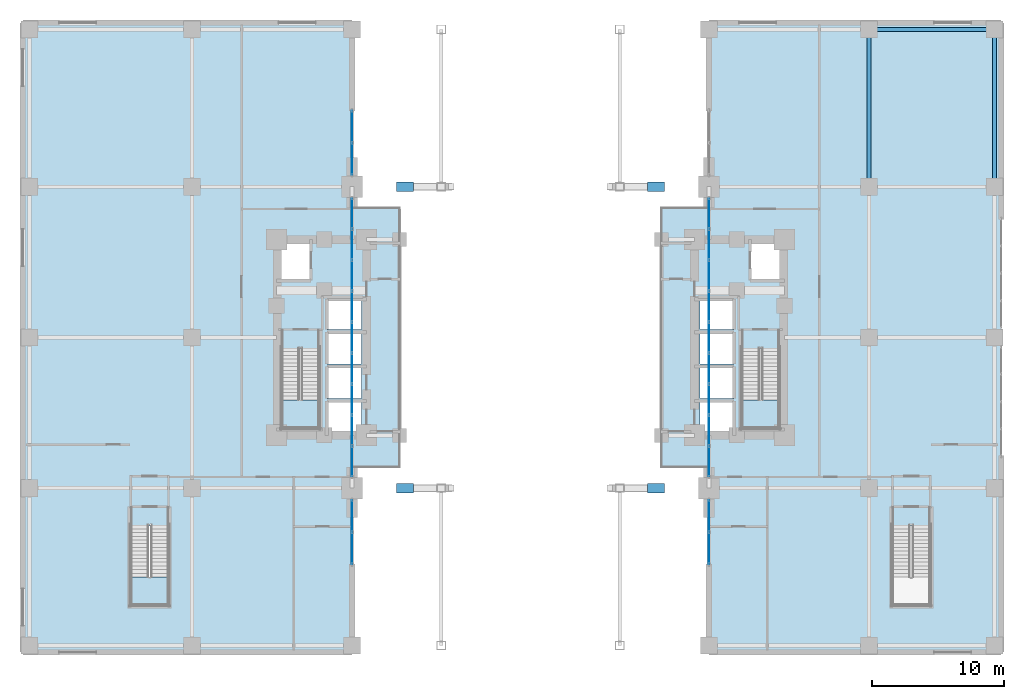
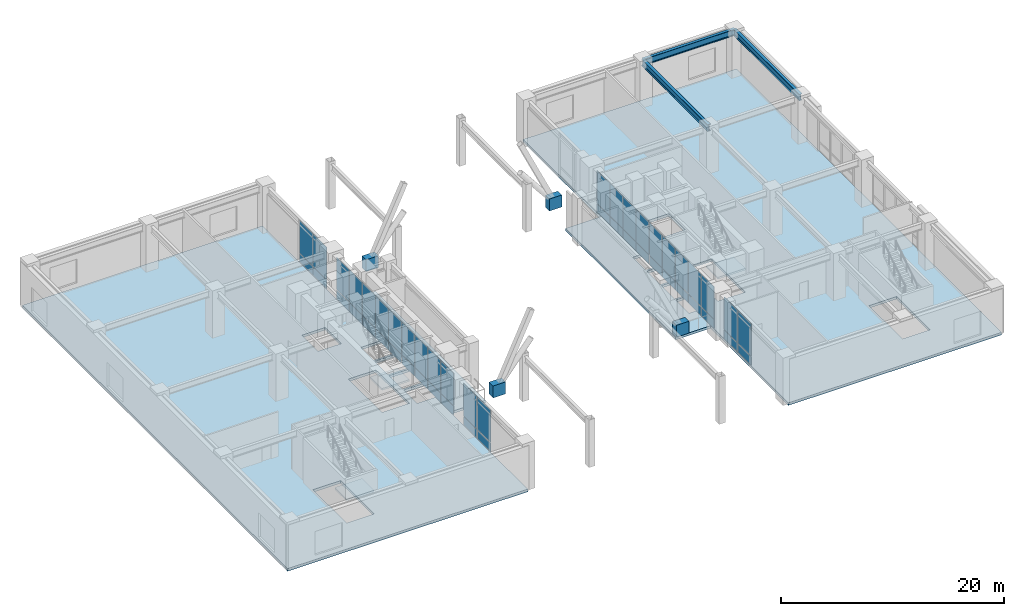
# One storey, part 17 of 26: 52 plates, 5 slabs, 3 beams, 8 elements without a shape of their own.
"""IFC4 building model written with IfcOpenShell, lengths in metres."""

from ifc_helpers import new_model, si_unit, direction, frame, origin, origin_2d, place, context, subcontext, project, spatial, polyline, rectangle, i_section, outline, extrude, material, layer, layer_set, material_profile, profile_set, type_object, element, aggregate, save


model = new_model("IFC4")

# Units and contexts
model_context = context("Model", 3, precision=1e-05, world=origin(), true_north=direction((0.0, 1.0)))
body_context = subcontext(model_context, "Body", "Model", "MODEL_VIEW")
ifc_project = project(units=[si_unit("LENGTHUNIT", "METRE"), si_unit("AREAUNIT", "SQUARE_METRE"), si_unit("VOLUMEUNIT", "CUBIC_METRE"), si_unit("PLANEANGLEUNIT", "RADIAN"), si_unit("MASSUNIT", "GRAM", prefix="KILO")], contexts=[model_context])

# Site, building, storey
site_placement = place(None, origin())
site = spatial("IfcSite", under=ifc_project, at=site_placement, CompositionType="ELEMENT")
building_placement = place(site_placement, origin())
building = spatial("IfcBuilding", under=site, at=building_placement, Name="Voryun Gate Residences", CompositionType="ELEMENT")
storey_placement = place(building_placement, frame((0.0, 0.0, 10.39990234375)))
storey = spatial("IfcBuildingStorey", under=building, at=storey_placement, Name="L02", CompositionType="ELEMENT", Elevation=10.39990234375)

# Beams
ifc_material_1 = material(Name="Steel SM355", Category="steel")
ifc_material_profile = material_profile(ifc_material_1, i_section(OverallWidth=0.300048828125, OverallDepth=0.699951171875, WebThickness=0.012939453125, FlangeThickness=0.02392578125, FilletRadius=0.01806640625, at=origin_2d()), Name="H-700x300x13x24")
ifc_profile_set = profile_set([ifc_material_profile], Name="Steel SM355")
beam_type = type_object("IfcBeamType", Name="BM_GIRD_700", PredefinedType="USERDEFINED", material=ifc_profile_set)
beam_placement = place(storey_placement, frame((25.60009765625, 23.300048828125, 4.570068359375), z_axis=(1.0, 0.0, 0.0), x_axis=(0.0, 1.0, 0.0)))
element("IfcBeam", 1, at=beam_placement, inside=storey, type_object=beam_type, Name="BM-L02-PEX-+23.3-1", ObjectType="GIRDER", PredefinedType="USERDEFINED", context=body_context, shape_type="SweptSolid", body=[
    extrude(i_section(OverallWidth=0.300048828125, OverallDepth=0.699951171875, WebThickness=0.012939453125, FlangeThickness=0.02392578125, FilletRadius=0.01806640625, at=origin_2d()), origin(), (0.0, 0.0, 1.0), 9.5),
])
for number, where, z_axis, x_axis, name in (
    (2, (25.60009765625, 11.39990234375, 4.570068359375), (0.0, 1.0, 0.0), (-1.0, 0.0, 0.0), "BM-L02-PEY-+25.6-3"),
    (3, (35.10009765625, 11.39990234375, 4.570068359375), (0.0, 1.0, 0.0), (-1.0, 0.0, 0.0), "BM-L02-PEY-+35.1-3"),
):
    element("IfcBeam", number, at=place(storey_placement, frame(where, z_axis=z_axis, x_axis=x_axis)), inside=storey, type_object=beam_type, Name=name, ObjectType="GIRDER", PredefinedType="USERDEFINED", context=body_context, shape_type="SweptSolid", body=[
        extrude(i_section(OverallWidth=0.300048828125, OverallDepth=0.699951171875, WebThickness=0.012939453125, FlangeThickness=0.02392578125, FilletRadius=0.01806640625, at=origin_2d()), origin(), (0.0, 0.0, 1.0), 11.900146484375),
    ])

# Plates
ifc_material_2 = material(Name="Steel SM420", Category="steel")
ifc_layer_1 = layer(ifc_material_2, 0.0400390625, Name="PLT_ARCH_GUSSET_40")
ifc_layer_set_1 = layer_set([ifc_layer_1], Name="Steel SM420")
plate_type_1 = type_object("IfcPlateType", Name="PLT_ARCH_GUSSET_40", PredefinedType="USERDEFINED", material=ifc_layer_set_1)
for number, where, z_axis, x_axis, name in (
    (4, (-9.5, -11.39990234375, 1.52001953125), (0.0, 0.0, 1.0), (1.0, 0.0, 0.0), "Arch Gusset Plate AN2-S"),
    (5, (9.5, -11.39990234375, 1.52001953125), (0.0, 0.0, 1.0), (1.0, 0.0, 0.0), "Arch Gusset Plate AN8-S"),
    (6, (-9.5, 11.39990234375, 1.52001953125), (0.0, 0.0, 1.0), (1.0, 0.0, 0.0), "Arch Gusset Plate AN2-N"),
    (7, (9.5, 11.39990234375, 1.52001953125), (0.0, 0.0, 1.0), (1.0, 0.0, 0.0), "Arch Gusset Plate AN8-N"),
):
    element("IfcPlate", number, at=place(storey_placement, frame(where, z_axis=z_axis, x_axis=x_axis)), inside=storey, type_object=plate_type_1, Name=name, ObjectType="GUSSET_PLATE", PredefinedType="USERDEFINED", context=body_context, shape_type="SweptSolid", body=[
        extrude(rectangle(XDim=1.300048828125, YDim=0.719970703125, at=origin_2d()), origin(), (0.0, 0.0, 1.0), 1.300048828125),
    ])

# Curtain wall, plates
ifc_material_3 = material(Name="Anodised aluminium", Category="aluminium")
ifc_layer_2 = layer(ifc_material_3, 0.239990234375, Name="CW_SYS_ARCH_DARK_GLASS")
ifc_layer_set_2 = layer_set([ifc_layer_2], Name="Anodised aluminium")
curtain_wall_type = type_object("IfcCurtainWallType", Name="CW_SYS_ARCH_DARK_GLASS", PredefinedType="NOTDEFINED", material=ifc_layer_set_2)
curtain_wall_1_placement = place(storey_placement, origin())
curtain_wall_1 = element("IfcCurtainWall", 8, at=curtain_wall_1_placement, inside=storey, type_object=curtain_wall_type, Name="Curtain wall CW2-L02-WP-S", PredefinedType="NOTDEFINED")
ifc_material_4 = material(Name="Laminated low-E glass", Category="glass")
ifc_layer_3 = layer(ifc_material_4, 0.048095703125, Name="PLT_GLASS_DARK_POD")
ifc_layer_set_3 = layer_set([ifc_layer_3], Name="Laminated low-E glass")
plate_type_2 = type_object("IfcPlateType", Name="PLT_GLASS_DARK_POD", PredefinedType="CURTAIN_PANEL", material=ifc_layer_set_3)
plate_1_placement = place(storey_placement, frame((-13.5, -15.9462890625, 0.06005859375), z_axis=(0.0, 0.0, 1.0), x_axis=(0.0, 1.0, 0.0)))
plate_1 = element("IfcPlate", 9, at=plate_1_placement, type_object=plate_type_2, Name="CW2 panel 1.1", PredefinedType="CURTAIN_PANEL", context=body_context, shape_type="SweptSolid", body=[
    extrude(rectangle(XDim=2.387451171875, YDim=0.028076171875, at=origin_2d()), origin(), (0.0, 0.0, 1.0), 0.9599609375),
])
plate_2_placement = place(storey_placement, frame((-13.5, -15.9462890625, 1.080078125), z_axis=(0.0, 0.0, 1.0), x_axis=(0.0, 1.0, 0.0)))
plate_2 = element("IfcPlate", 10, at=plate_2_placement, type_object=plate_type_2, Name="CW2 panel 1.2", PredefinedType="CURTAIN_PANEL", context=body_context, shape_type="SweptSolid", body=[
    extrude(rectangle(XDim=2.387451171875, YDim=0.028076171875, at=origin_2d()), origin(), (0.0, 0.0, 1.0), 3.56005859375),
])
plate_3_placement = place(storey_placement, frame((-13.5, -13.498779296875, 0.06005859375), z_axis=(0.0, 0.0, 1.0), x_axis=(0.0, 1.0, 0.0)))
plate_3 = element("IfcPlate", 11, at=plate_3_placement, type_object=plate_type_2, Name="CW2 panel 2.1", PredefinedType="CURTAIN_PANEL", context=body_context, shape_type="SweptSolid", body=[
    extrude(rectangle(XDim=2.387451171875, YDim=0.028076171875, at=origin_2d()), origin(), (0.0, 0.0, 1.0), 0.9599609375),
])
plate_4_placement = place(storey_placement, frame((-13.5, -13.498779296875, 1.080078125), z_axis=(0.0, 0.0, 1.0), x_axis=(0.0, 1.0, 0.0)))
plate_4 = element("IfcPlate", 12, at=plate_4_placement, type_object=plate_type_2, Name="CW2 panel 2.2", PredefinedType="CURTAIN_PANEL", context=body_context, shape_type="SweptSolid", body=[
    extrude(rectangle(XDim=2.387451171875, YDim=0.028076171875, at=origin_2d()), origin(), (0.0, 0.0, 1.0), 3.56005859375),
])
aggregate(curtain_wall_1, [plate_1, plate_2, plate_3, plate_4])

curtain_wall_2_placement = place(storey_placement, origin())
curtain_wall_2 = element("IfcCurtainWall", 13, at=curtain_wall_2_placement, inside=storey, type_object=curtain_wall_type, Name="Curtain wall CW2-L02-WP-M", PredefinedType="NOTDEFINED")
plate_5_placement = place(storey_placement, frame((-13.5, -9.3671875, 0.06005859375), z_axis=(0.0, 0.0, 1.0), x_axis=(0.0, 1.0, 0.0)))
plate_5 = element("IfcPlate", 14, at=plate_5_placement, type_object=plate_type_2, Name="CW2 panel 1.1", PredefinedType="CURTAIN_PANEL", context=body_context, shape_type="SweptSolid", body=[
    extrude(rectangle(XDim=2.255615234375, YDim=0.028076171875, at=origin_2d()), origin(), (0.0, 0.0, 1.0), 0.9599609375),
])
plate_6_placement = place(storey_placement, frame((-13.5, -9.3671875, 1.080078125), z_axis=(0.0, 0.0, 1.0), x_axis=(0.0, 1.0, 0.0)))
plate_6 = element("IfcPlate", 15, at=plate_6_placement, type_object=plate_type_2, Name="CW2 panel 1.2", PredefinedType="CURTAIN_PANEL", context=body_context, shape_type="SweptSolid", body=[
    extrude(rectangle(XDim=2.255615234375, YDim=0.028076171875, at=origin_2d()), origin(), (0.0, 0.0, 1.0), 3.56005859375),
])
plate_7_placement = place(storey_placement, frame((-13.5, -7.03662109375, 0.06005859375), z_axis=(0.0, 0.0, 1.0), x_axis=(0.0, 1.0, 0.0)))
plate_7 = element("IfcPlate", 16, at=plate_7_placement, type_object=plate_type_2, Name="CW2 panel 2.1", PredefinedType="CURTAIN_PANEL", context=body_context, shape_type="SweptSolid", body=[
    extrude(rectangle(XDim=2.28564453125, YDim=0.028076171875, at=origin_2d()), origin(), (0.0, 0.0, 1.0), 0.9599609375),
])
plate_8_placement = place(storey_placement, frame((-13.5, -7.03662109375, 1.080078125), z_axis=(0.0, 0.0, 1.0), x_axis=(0.0, 1.0, 0.0)))
plate_8 = element("IfcPlate", 17, at=plate_8_placement, type_object=plate_type_2, Name="CW2 panel 2.2", PredefinedType="CURTAIN_PANEL", context=body_context, shape_type="SweptSolid", body=[
    extrude(rectangle(XDim=2.28564453125, YDim=0.028076171875, at=origin_2d()), origin(), (0.0, 0.0, 1.0), 3.56005859375),
])
plate_9_placement = place(storey_placement, frame((-13.5, -4.691162109375, 0.06005859375), z_axis=(0.0, 0.0, 1.0), x_axis=(0.0, 1.0, 0.0)))
plate_9 = element("IfcPlate", 18, at=plate_9_placement, type_object=plate_type_2, Name="CW2 panel 3.1", PredefinedType="CURTAIN_PANEL", context=body_context, shape_type="SweptSolid", body=[
    extrude(rectangle(XDim=2.28564453125, YDim=0.028076171875, at=origin_2d()), origin(), (0.0, 0.0, 1.0), 0.9599609375),
])
plate_10_placement = place(storey_placement, frame((-13.5, -4.691162109375, 1.080078125), z_axis=(0.0, 0.0, 1.0), x_axis=(0.0, 1.0, 0.0)))
plate_10 = element("IfcPlate", 19, at=plate_10_placement, type_object=plate_type_2, Name="CW2 panel 3.2", PredefinedType="CURTAIN_PANEL", context=body_context, shape_type="SweptSolid", body=[
    extrude(rectangle(XDim=2.28564453125, YDim=0.028076171875, at=origin_2d()), origin(), (0.0, 0.0, 1.0), 3.56005859375),
])
plate_11_placement = place(storey_placement, frame((-13.5, -2.345458984375, 0.06005859375), z_axis=(0.0, 0.0, 1.0), x_axis=(0.0, 1.0, 0.0)))
plate_11 = element("IfcPlate", 20, at=plate_11_placement, type_object=plate_type_2, Name="CW2 panel 4.1", PredefinedType="CURTAIN_PANEL", context=body_context, shape_type="SweptSolid", body=[
    extrude(rectangle(XDim=2.28564453125, YDim=0.028076171875, at=origin_2d()), origin(), (0.0, 0.0, 1.0), 0.9599609375),
])
plate_12_placement = place(storey_placement, frame((-13.5, -2.345458984375, 1.080078125), z_axis=(0.0, 0.0, 1.0), x_axis=(0.0, 1.0, 0.0)))
plate_12 = element("IfcPlate", 21, at=plate_12_placement, type_object=plate_type_2, Name="CW2 panel 4.2", PredefinedType="CURTAIN_PANEL", context=body_context, shape_type="SweptSolid", body=[
    extrude(rectangle(XDim=2.28564453125, YDim=0.028076171875, at=origin_2d()), origin(), (0.0, 0.0, 1.0), 3.56005859375),
])
plate_13_placement = place(storey_placement, frame((-13.5, 0.0, 0.06005859375), z_axis=(0.0, 0.0, 1.0), x_axis=(0.0, 1.0, 0.0)))
plate_13 = element("IfcPlate", 22, at=plate_13_placement, type_object=plate_type_2, Name="CW2 panel 5.1", PredefinedType="CURTAIN_PANEL", context=body_context, shape_type="SweptSolid", body=[
    extrude(rectangle(XDim=2.28564453125, YDim=0.028076171875, at=origin_2d()), origin(), (0.0, 0.0, 1.0), 0.9599609375),
])
plate_14_placement = place(storey_placement, frame((-13.5, 0.0, 1.080078125), z_axis=(0.0, 0.0, 1.0), x_axis=(0.0, 1.0, 0.0)))
plate_14 = element("IfcPlate", 23, at=plate_14_placement, type_object=plate_type_2, Name="CW2 panel 5.2", PredefinedType="CURTAIN_PANEL", context=body_context, shape_type="SweptSolid", body=[
    extrude(rectangle(XDim=2.28564453125, YDim=0.028076171875, at=origin_2d()), origin(), (0.0, 0.0, 1.0), 3.56005859375),
])
plate_15_placement = place(storey_placement, frame((-13.5, 2.345458984375, 0.06005859375), z_axis=(0.0, 0.0, 1.0), x_axis=(0.0, 1.0, 0.0)))
plate_15 = element("IfcPlate", 24, at=plate_15_placement, type_object=plate_type_2, Name="CW2 panel 6.1", PredefinedType="CURTAIN_PANEL", context=body_context, shape_type="SweptSolid", body=[
    extrude(rectangle(XDim=2.28564453125, YDim=0.028076171875, at=origin_2d()), origin(), (0.0, 0.0, 1.0), 0.9599609375),
])
plate_16_placement = place(storey_placement, frame((-13.5, 2.345458984375, 1.080078125), z_axis=(0.0, 0.0, 1.0), x_axis=(0.0, 1.0, 0.0)))
plate_16 = element("IfcPlate", 25, at=plate_16_placement, type_object=plate_type_2, Name="CW2 panel 6.2", PredefinedType="CURTAIN_PANEL", context=body_context, shape_type="SweptSolid", body=[
    extrude(rectangle(XDim=2.28564453125, YDim=0.028076171875, at=origin_2d()), origin(), (0.0, 0.0, 1.0), 3.56005859375),
])
plate_17_placement = place(storey_placement, frame((-13.5, 4.691162109375, 0.06005859375), z_axis=(0.0, 0.0, 1.0), x_axis=(0.0, 1.0, 0.0)))
plate_17 = element("IfcPlate", 26, at=plate_17_placement, type_object=plate_type_2, Name="CW2 panel 7.1", PredefinedType="CURTAIN_PANEL", context=body_context, shape_type="SweptSolid", body=[
    extrude(rectangle(XDim=2.28564453125, YDim=0.028076171875, at=origin_2d()), origin(), (0.0, 0.0, 1.0), 0.9599609375),
])
plate_18_placement = place(storey_placement, frame((-13.5, 4.691162109375, 1.080078125), z_axis=(0.0, 0.0, 1.0), x_axis=(0.0, 1.0, 0.0)))
plate_18 = element("IfcPlate", 27, at=plate_18_placement, type_object=plate_type_2, Name="CW2 panel 7.2", PredefinedType="CURTAIN_PANEL", context=body_context, shape_type="SweptSolid", body=[
    extrude(rectangle(XDim=2.28564453125, YDim=0.028076171875, at=origin_2d()), origin(), (0.0, 0.0, 1.0), 3.56005859375),
])
plate_19_placement = place(storey_placement, frame((-13.5, 7.03662109375, 0.06005859375), z_axis=(0.0, 0.0, 1.0), x_axis=(0.0, 1.0, 0.0)))
plate_19 = element("IfcPlate", 28, at=plate_19_placement, type_object=plate_type_2, Name="CW2 panel 8.1", PredefinedType="CURTAIN_PANEL", context=body_context, shape_type="SweptSolid", body=[
    extrude(rectangle(XDim=2.28564453125, YDim=0.028076171875, at=origin_2d()), origin(), (0.0, 0.0, 1.0), 0.9599609375),
])
plate_20_placement = place(storey_placement, frame((-13.5, 7.03662109375, 1.080078125), z_axis=(0.0, 0.0, 1.0), x_axis=(0.0, 1.0, 0.0)))
plate_20 = element("IfcPlate", 29, at=plate_20_placement, type_object=plate_type_2, Name="CW2 panel 8.2", PredefinedType="CURTAIN_PANEL", context=body_context, shape_type="SweptSolid", body=[
    extrude(rectangle(XDim=2.28564453125, YDim=0.028076171875, at=origin_2d()), origin(), (0.0, 0.0, 1.0), 3.56005859375),
])
plate_21_placement = place(storey_placement, frame((-13.5, 9.3671875, 0.06005859375), z_axis=(0.0, 0.0, 1.0), x_axis=(0.0, 1.0, 0.0)))
plate_21 = element("IfcPlate", 30, at=plate_21_placement, type_object=plate_type_2, Name="CW2 panel 9.1", PredefinedType="CURTAIN_PANEL", context=body_context, shape_type="SweptSolid", body=[
    extrude(rectangle(XDim=2.255615234375, YDim=0.028076171875, at=origin_2d()), origin(), (0.0, 0.0, 1.0), 0.9599609375),
])
plate_22_placement = place(storey_placement, frame((-13.5, 9.3671875, 1.080078125), z_axis=(0.0, 0.0, 1.0), x_axis=(0.0, 1.0, 0.0)))
plate_22 = element("IfcPlate", 31, at=plate_22_placement, type_object=plate_type_2, Name="CW2 panel 9.2", PredefinedType="CURTAIN_PANEL", context=body_context, shape_type="SweptSolid", body=[
    extrude(rectangle(XDim=2.255615234375, YDim=0.028076171875, at=origin_2d()), origin(), (0.0, 0.0, 1.0), 3.56005859375),
])
aggregate(curtain_wall_2, [plate_5, plate_6, plate_7, plate_8, plate_9, plate_10, plate_11, plate_12, plate_13, plate_14, plate_15, plate_16, plate_17, plate_18, plate_19, plate_20, plate_21, plate_22])

curtain_wall_3_placement = place(storey_placement, origin())
curtain_wall_3 = element("IfcCurtainWall", 32, at=curtain_wall_3_placement, inside=storey, type_object=curtain_wall_type, Name="Curtain wall CW2-L02-WP-N", PredefinedType="NOTDEFINED")
plate_23_placement = place(storey_placement, frame((-13.5, 13.498779296875, 0.06005859375), z_axis=(0.0, 0.0, 1.0), x_axis=(0.0, 1.0, 0.0)))
plate_23 = element("IfcPlate", 33, at=plate_23_placement, type_object=plate_type_2, Name="CW2 panel 1.1", PredefinedType="CURTAIN_PANEL", context=body_context, shape_type="SweptSolid", body=[
    extrude(rectangle(XDim=2.387451171875, YDim=0.028076171875, at=origin_2d()), origin(), (0.0, 0.0, 1.0), 0.9599609375),
])
plate_24_placement = place(storey_placement, frame((-13.5, 13.498779296875, 1.080078125), z_axis=(0.0, 0.0, 1.0), x_axis=(0.0, 1.0, 0.0)))
plate_24 = element("IfcPlate", 34, at=plate_24_placement, type_object=plate_type_2, Name="CW2 panel 1.2", PredefinedType="CURTAIN_PANEL", context=body_context, shape_type="SweptSolid", body=[
    extrude(rectangle(XDim=2.387451171875, YDim=0.028076171875, at=origin_2d()), origin(), (0.0, 0.0, 1.0), 3.56005859375),
])
plate_25_placement = place(storey_placement, frame((-13.5, 15.9462890625, 0.06005859375), z_axis=(0.0, 0.0, 1.0), x_axis=(0.0, 1.0, 0.0)))
plate_25 = element("IfcPlate", 35, at=plate_25_placement, type_object=plate_type_2, Name="CW2 panel 2.1", PredefinedType="CURTAIN_PANEL", context=body_context, shape_type="SweptSolid", body=[
    extrude(rectangle(XDim=2.387451171875, YDim=0.028076171875, at=origin_2d()), origin(), (0.0, 0.0, 1.0), 0.9599609375),
])
plate_26_placement = place(storey_placement, frame((-13.5, 15.9462890625, 1.080078125), z_axis=(0.0, 0.0, 1.0), x_axis=(0.0, 1.0, 0.0)))
plate_26 = element("IfcPlate", 36, at=plate_26_placement, type_object=plate_type_2, Name="CW2 panel 2.2", PredefinedType="CURTAIN_PANEL", context=body_context, shape_type="SweptSolid", body=[
    extrude(rectangle(XDim=2.387451171875, YDim=0.028076171875, at=origin_2d()), origin(), (0.0, 0.0, 1.0), 3.56005859375),
])
aggregate(curtain_wall_3, [plate_23, plate_24, plate_25, plate_26])

curtain_wall_4_placement = place(storey_placement, origin())
curtain_wall_4 = element("IfcCurtainWall", 37, at=curtain_wall_4_placement, inside=storey, type_object=curtain_wall_type, Name="Curtain wall CW2-L02-EP-S", PredefinedType="NOTDEFINED")
plate_27_placement = place(storey_placement, frame((13.5, -15.9462890625, 0.06005859375), z_axis=(0.0, 0.0, 1.0), x_axis=(0.0, 1.0, 0.0)))
plate_27 = element("IfcPlate", 38, at=plate_27_placement, type_object=plate_type_2, Name="CW2 panel 1.1", PredefinedType="CURTAIN_PANEL", context=body_context, shape_type="SweptSolid", body=[
    extrude(rectangle(XDim=2.387451171875, YDim=0.028076171875, at=origin_2d()), origin(), (0.0, 0.0, 1.0), 0.9599609375),
])
plate_28_placement = place(storey_placement, frame((13.5, -15.9462890625, 1.080078125), z_axis=(0.0, 0.0, 1.0), x_axis=(0.0, 1.0, 0.0)))
plate_28 = element("IfcPlate", 39, at=plate_28_placement, type_object=plate_type_2, Name="CW2 panel 1.2", PredefinedType="CURTAIN_PANEL", context=body_context, shape_type="SweptSolid", body=[
    extrude(rectangle(XDim=2.387451171875, YDim=0.028076171875, at=origin_2d()), origin(), (0.0, 0.0, 1.0), 3.56005859375),
])
plate_29_placement = place(storey_placement, frame((13.5, -13.498779296875, 0.06005859375), z_axis=(0.0, 0.0, 1.0), x_axis=(0.0, 1.0, 0.0)))
plate_29 = element("IfcPlate", 40, at=plate_29_placement, type_object=plate_type_2, Name="CW2 panel 2.1", PredefinedType="CURTAIN_PANEL", context=body_context, shape_type="SweptSolid", body=[
    extrude(rectangle(XDim=2.387451171875, YDim=0.028076171875, at=origin_2d()), origin(), (0.0, 0.0, 1.0), 0.9599609375),
])
plate_30_placement = place(storey_placement, frame((13.5, -13.498779296875, 1.080078125), z_axis=(0.0, 0.0, 1.0), x_axis=(0.0, 1.0, 0.0)))
plate_30 = element("IfcPlate", 41, at=plate_30_placement, type_object=plate_type_2, Name="CW2 panel 2.2", PredefinedType="CURTAIN_PANEL", context=body_context, shape_type="SweptSolid", body=[
    extrude(rectangle(XDim=2.387451171875, YDim=0.028076171875, at=origin_2d()), origin(), (0.0, 0.0, 1.0), 3.56005859375),
])
aggregate(curtain_wall_4, [plate_27, plate_28, plate_29, plate_30])

curtain_wall_5_placement = place(storey_placement, origin())
curtain_wall_5 = element("IfcCurtainWall", 42, at=curtain_wall_5_placement, inside=storey, type_object=curtain_wall_type, Name="Curtain wall CW2-L02-EP-M", PredefinedType="NOTDEFINED")
plate_31_placement = place(storey_placement, frame((13.5, -9.3671875, 0.06005859375), z_axis=(0.0, 0.0, 1.0), x_axis=(0.0, 1.0, 0.0)))
plate_31 = element("IfcPlate", 43, at=plate_31_placement, type_object=plate_type_2, Name="CW2 panel 1.1", PredefinedType="CURTAIN_PANEL", context=body_context, shape_type="SweptSolid", body=[
    extrude(rectangle(XDim=2.255615234375, YDim=0.028076171875, at=origin_2d()), origin(), (0.0, 0.0, 1.0), 0.9599609375),
])
plate_32_placement = place(storey_placement, frame((13.5, -9.3671875, 1.080078125), z_axis=(0.0, 0.0, 1.0), x_axis=(0.0, 1.0, 0.0)))
plate_32 = element("IfcPlate", 44, at=plate_32_placement, type_object=plate_type_2, Name="CW2 panel 1.2", PredefinedType="CURTAIN_PANEL", context=body_context, shape_type="SweptSolid", body=[
    extrude(rectangle(XDim=2.255615234375, YDim=0.028076171875, at=origin_2d()), origin(), (0.0, 0.0, 1.0), 3.56005859375),
])
plate_33_placement = place(storey_placement, frame((13.5, -7.03662109375, 0.06005859375), z_axis=(0.0, 0.0, 1.0), x_axis=(0.0, 1.0, 0.0)))
plate_33 = element("IfcPlate", 45, at=plate_33_placement, type_object=plate_type_2, Name="CW2 panel 2.1", PredefinedType="CURTAIN_PANEL", context=body_context, shape_type="SweptSolid", body=[
    extrude(rectangle(XDim=2.28564453125, YDim=0.028076171875, at=origin_2d()), origin(), (0.0, 0.0, 1.0), 0.9599609375),
])
plate_34_placement = place(storey_placement, frame((13.5, -7.03662109375, 1.080078125), z_axis=(0.0, 0.0, 1.0), x_axis=(0.0, 1.0, 0.0)))
plate_34 = element("IfcPlate", 46, at=plate_34_placement, type_object=plate_type_2, Name="CW2 panel 2.2", PredefinedType="CURTAIN_PANEL", context=body_context, shape_type="SweptSolid", body=[
    extrude(rectangle(XDim=2.28564453125, YDim=0.028076171875, at=origin_2d()), origin(), (0.0, 0.0, 1.0), 3.56005859375),
])
plate_35_placement = place(storey_placement, frame((13.5, -4.691162109375, 0.06005859375), z_axis=(0.0, 0.0, 1.0), x_axis=(0.0, 1.0, 0.0)))
plate_35 = element("IfcPlate", 47, at=plate_35_placement, type_object=plate_type_2, Name="CW2 panel 3.1", PredefinedType="CURTAIN_PANEL", context=body_context, shape_type="SweptSolid", body=[
    extrude(rectangle(XDim=2.28564453125, YDim=0.028076171875, at=origin_2d()), origin(), (0.0, 0.0, 1.0), 0.9599609375),
])
plate_36_placement = place(storey_placement, frame((13.5, -4.691162109375, 1.080078125), z_axis=(0.0, 0.0, 1.0), x_axis=(0.0, 1.0, 0.0)))
plate_36 = element("IfcPlate", 48, at=plate_36_placement, type_object=plate_type_2, Name="CW2 panel 3.2", PredefinedType="CURTAIN_PANEL", context=body_context, shape_type="SweptSolid", body=[
    extrude(rectangle(XDim=2.28564453125, YDim=0.028076171875, at=origin_2d()), origin(), (0.0, 0.0, 1.0), 3.56005859375),
])
plate_37_placement = place(storey_placement, frame((13.5, -2.345458984375, 0.06005859375), z_axis=(0.0, 0.0, 1.0), x_axis=(0.0, 1.0, 0.0)))
plate_37 = element("IfcPlate", 49, at=plate_37_placement, type_object=plate_type_2, Name="CW2 panel 4.1", PredefinedType="CURTAIN_PANEL", context=body_context, shape_type="SweptSolid", body=[
    extrude(rectangle(XDim=2.28564453125, YDim=0.028076171875, at=origin_2d()), origin(), (0.0, 0.0, 1.0), 0.9599609375),
])
plate_38_placement = place(storey_placement, frame((13.5, -2.345458984375, 1.080078125), z_axis=(0.0, 0.0, 1.0), x_axis=(0.0, 1.0, 0.0)))
plate_38 = element("IfcPlate", 50, at=plate_38_placement, type_object=plate_type_2, Name="CW2 panel 4.2", PredefinedType="CURTAIN_PANEL", context=body_context, shape_type="SweptSolid", body=[
    extrude(rectangle(XDim=2.28564453125, YDim=0.028076171875, at=origin_2d()), origin(), (0.0, 0.0, 1.0), 3.56005859375),
])
plate_39_placement = place(storey_placement, frame((13.5, 0.0, 0.06005859375), z_axis=(0.0, 0.0, 1.0), x_axis=(0.0, 1.0, 0.0)))
plate_39 = element("IfcPlate", 51, at=plate_39_placement, type_object=plate_type_2, Name="CW2 panel 5.1", PredefinedType="CURTAIN_PANEL", context=body_context, shape_type="SweptSolid", body=[
    extrude(rectangle(XDim=2.28564453125, YDim=0.028076171875, at=origin_2d()), origin(), (0.0, 0.0, 1.0), 0.9599609375),
])
plate_40_placement = place(storey_placement, frame((13.5, 0.0, 1.080078125), z_axis=(0.0, 0.0, 1.0), x_axis=(0.0, 1.0, 0.0)))
plate_40 = element("IfcPlate", 52, at=plate_40_placement, type_object=plate_type_2, Name="CW2 panel 5.2", PredefinedType="CURTAIN_PANEL", context=body_context, shape_type="SweptSolid", body=[
    extrude(rectangle(XDim=2.28564453125, YDim=0.028076171875, at=origin_2d()), origin(), (0.0, 0.0, 1.0), 3.56005859375),
])
plate_41_placement = place(storey_placement, frame((13.5, 2.345458984375, 0.06005859375), z_axis=(0.0, 0.0, 1.0), x_axis=(0.0, 1.0, 0.0)))
plate_41 = element("IfcPlate", 53, at=plate_41_placement, type_object=plate_type_2, Name="CW2 panel 6.1", PredefinedType="CURTAIN_PANEL", context=body_context, shape_type="SweptSolid", body=[
    extrude(rectangle(XDim=2.28564453125, YDim=0.028076171875, at=origin_2d()), origin(), (0.0, 0.0, 1.0), 0.9599609375),
])
plate_42_placement = place(storey_placement, frame((13.5, 2.345458984375, 1.080078125), z_axis=(0.0, 0.0, 1.0), x_axis=(0.0, 1.0, 0.0)))
plate_42 = element("IfcPlate", 54, at=plate_42_placement, type_object=plate_type_2, Name="CW2 panel 6.2", PredefinedType="CURTAIN_PANEL", context=body_context, shape_type="SweptSolid", body=[
    extrude(rectangle(XDim=2.28564453125, YDim=0.028076171875, at=origin_2d()), origin(), (0.0, 0.0, 1.0), 3.56005859375),
])
plate_43_placement = place(storey_placement, frame((13.5, 4.691162109375, 0.06005859375), z_axis=(0.0, 0.0, 1.0), x_axis=(0.0, 1.0, 0.0)))
plate_43 = element("IfcPlate", 55, at=plate_43_placement, type_object=plate_type_2, Name="CW2 panel 7.1", PredefinedType="CURTAIN_PANEL", context=body_context, shape_type="SweptSolid", body=[
    extrude(rectangle(XDim=2.28564453125, YDim=0.028076171875, at=origin_2d()), origin(), (0.0, 0.0, 1.0), 0.9599609375),
])
plate_44_placement = place(storey_placement, frame((13.5, 4.691162109375, 1.080078125), z_axis=(0.0, 0.0, 1.0), x_axis=(0.0, 1.0, 0.0)))
plate_44 = element("IfcPlate", 56, at=plate_44_placement, type_object=plate_type_2, Name="CW2 panel 7.2", PredefinedType="CURTAIN_PANEL", context=body_context, shape_type="SweptSolid", body=[
    extrude(rectangle(XDim=2.28564453125, YDim=0.028076171875, at=origin_2d()), origin(), (0.0, 0.0, 1.0), 3.56005859375),
])
plate_45_placement = place(storey_placement, frame((13.5, 7.03662109375, 0.06005859375), z_axis=(0.0, 0.0, 1.0), x_axis=(0.0, 1.0, 0.0)))
plate_45 = element("IfcPlate", 57, at=plate_45_placement, type_object=plate_type_2, Name="CW2 panel 8.1", PredefinedType="CURTAIN_PANEL", context=body_context, shape_type="SweptSolid", body=[
    extrude(rectangle(XDim=2.28564453125, YDim=0.028076171875, at=origin_2d()), origin(), (0.0, 0.0, 1.0), 0.9599609375),
])
plate_46_placement = place(storey_placement, frame((13.5, 7.03662109375, 1.080078125), z_axis=(0.0, 0.0, 1.0), x_axis=(0.0, 1.0, 0.0)))
plate_46 = element("IfcPlate", 58, at=plate_46_placement, type_object=plate_type_2, Name="CW2 panel 8.2", PredefinedType="CURTAIN_PANEL", context=body_context, shape_type="SweptSolid", body=[
    extrude(rectangle(XDim=2.28564453125, YDim=0.028076171875, at=origin_2d()), origin(), (0.0, 0.0, 1.0), 3.56005859375),
])
plate_47_placement = place(storey_placement, frame((13.5, 9.3671875, 0.06005859375), z_axis=(0.0, 0.0, 1.0), x_axis=(0.0, 1.0, 0.0)))
plate_47 = element("IfcPlate", 59, at=plate_47_placement, type_object=plate_type_2, Name="CW2 panel 9.1", PredefinedType="CURTAIN_PANEL", context=body_context, shape_type="SweptSolid", body=[
    extrude(rectangle(XDim=2.255615234375, YDim=0.028076171875, at=origin_2d()), origin(), (0.0, 0.0, 1.0), 0.9599609375),
])
plate_48_placement = place(storey_placement, frame((13.5, 9.3671875, 1.080078125), z_axis=(0.0, 0.0, 1.0), x_axis=(0.0, 1.0, 0.0)))
plate_48 = element("IfcPlate", 60, at=plate_48_placement, type_object=plate_type_2, Name="CW2 panel 9.2", PredefinedType="CURTAIN_PANEL", context=body_context, shape_type="SweptSolid", body=[
    extrude(rectangle(XDim=2.255615234375, YDim=0.028076171875, at=origin_2d()), origin(), (0.0, 0.0, 1.0), 3.56005859375),
])
aggregate(curtain_wall_5, [plate_31, plate_32, plate_33, plate_34, plate_35, plate_36, plate_37, plate_38, plate_39, plate_40, plate_41, plate_42, plate_43, plate_44, plate_45, plate_46, plate_47, plate_48])

# Slabs
ifc_material_5 = material(Name="Concrete C50/60", Category="concrete")
ifc_layer_4 = layer(ifc_material_5, 0.280029296875, Name="SLB_POD_280")
ifc_layer_set_4 = layer_set([ifc_layer_4], Name="Concrete C50/60")
slab_type_1 = type_object("IfcSlabType", Name="SLB_POD_280", PredefinedType="FLOOR", material=ifc_layer_set_4)
slab_1_placement = place(storey_placement, frame((0.0, 0.0, -0.27978515625)))
element("IfcSlab", 61, at=slab_1_placement, inside=storey, type_object=slab_type_1, Name="L02 West Podium Pier Slab", PredefinedType="FLOOR", context=body_context, shape_type="SweptSolid", body=[
    extrude(outline(polyline([(-38.39990234375, -23.800048828125), (-38.39990234375, 23.800048828125), (-13.5, 23.800048828125), (-13.5, 9.85009765625), (-9.85009765625, 9.85009765625), (-9.85009765625, -9.85009765625), (-13.5, -9.85009765625), (-13.5, -23.800048828125), (-38.39990234375, -23.800048828125)]), holes=[polyline([(-27.375, -20.25), (-27.375, -14.239990234375), (-30.22509765625, -14.239990234375), (-30.22509765625, -20.25), (-27.375, -20.25)]), polyline([(-12.800048828125, -7.199951171875), (-12.800048828125, -4.800048828125), (-15.39990234375, -4.800048828125), (-15.39990234375, -7.199951171875), (-12.800048828125, -7.199951171875)]), polyline([(-18.824951171875, -6.85009765625), (-15.97509765625, -6.85009765625), (-15.97509765625, -0.840087890625), (-18.824951171875, -0.840087890625), (-18.824951171875, -6.85009765625)]), polyline([(-12.800048828125, -4.60009765625), (-12.800048828125, -2.199951171875), (-15.39990234375, -2.199951171875), (-15.39990234375, -4.60009765625), (-12.800048828125, -4.60009765625)]), polyline([(-12.800048828125, -2.0), (-12.800048828125, 0.39990234375), (-15.39990234375, 0.39990234375), (-15.39990234375, -2.0), (-12.800048828125, -2.0)]), polyline([(-12.800048828125, 0.60009765625), (-12.800048828125, 2.89990234375), (-15.39990234375, 2.89990234375), (-15.39990234375, 0.60009765625), (-12.800048828125, 0.60009765625)]), polyline([(-16.60009765625, 4.300048828125), (-16.60009765625, 7.199951171875), (-19.0, 7.199951171875), (-19.0, 4.300048828125), (-16.60009765625, 4.300048828125)])]), origin(), (0.0, 0.0, 1.0), 0.27978515625),
])
slab_2_placement = place(storey_placement, frame((0.0, 0.0, -0.27978515625)))
element("IfcSlab", 62, at=slab_2_placement, inside=storey, type_object=slab_type_1, Name="L02 East Podium Pier Slab", PredefinedType="FLOOR", context=body_context, shape_type="SweptSolid", body=[
    extrude(outline(polyline([(9.85009765625, 9.85009765625), (13.5, 9.85009765625), (13.5, 23.800048828125), (35.60009765625, 23.800048828125), (35.60009765625, -23.800048828125), (13.5, -23.800048828125), (13.5, -9.85009765625), (9.85009765625, -9.85009765625), (9.85009765625, 9.85009765625)]), holes=[polyline([(30.22509765625, -20.25), (30.22509765625, -14.239990234375), (27.375, -14.239990234375), (27.375, -20.25), (30.22509765625, -20.25)]), polyline([(15.39990234375, -7.199951171875), (15.39990234375, -4.800048828125), (12.800048828125, -4.800048828125), (12.800048828125, -7.199951171875), (15.39990234375, -7.199951171875)]), polyline([(15.97509765625, -6.85009765625), (18.824951171875, -6.85009765625), (18.824951171875, -0.840087890625), (15.97509765625, -0.840087890625), (15.97509765625, -6.85009765625)]), polyline([(15.39990234375, -4.60009765625), (15.39990234375, -2.199951171875), (12.800048828125, -2.199951171875), (12.800048828125, -4.60009765625), (15.39990234375, -4.60009765625)]), polyline([(15.39990234375, -2.0), (15.39990234375, 0.39990234375), (12.800048828125, 0.39990234375), (12.800048828125, -2.0), (15.39990234375, -2.0)]), polyline([(15.39990234375, 0.60009765625), (15.39990234375, 2.89990234375), (12.800048828125, 2.89990234375), (12.800048828125, 0.60009765625), (15.39990234375, 0.60009765625)]), polyline([(19.0, 4.300048828125), (19.0, 7.199951171875), (16.60009765625, 7.199951171875), (16.60009765625, 4.300048828125), (19.0, 4.300048828125)])]), origin(), (0.0, 0.0, 1.0), 0.27978515625),
])

# Stair, slab
ifc_material_6 = material(Name="Concrete C40/50", Category="concrete")
stair_type_1 = type_object("IfcStairType", Name="STR_CORE_DOGLEG_1350", PredefinedType="HALF_TURN_STAIR", material=ifc_material_6)
stair_1_placement = place(storey_placement, origin())
stair_1 = element("IfcStair", 63, at=stair_1_placement, inside=storey, type_object=stair_type_1, Name="L02 Special Escape Stair ST-W1", PredefinedType="HALF_TURN_STAIR")
ifc_material_7 = material(Name="Concrete C40/50", Category="concrete")
ifc_layer_5 = layer(ifc_material_7, 0.199951171875, Name="SLB_STAIR_LANDING_200")
ifc_layer_set_5 = layer_set([ifc_layer_5], Name="Concrete C40/50")
slab_type_2 = type_object("IfcSlabType", Name="SLB_STAIR_LANDING_200", PredefinedType="LANDING", material=ifc_layer_set_5)
slab_3_placement = place(storey_placement, frame((0.0, 0.0, 2.400146484375)))
slab_3 = element("IfcSlab", 64, at=slab_3_placement, type_object=slab_type_2, Name="ST-W1 landing 1", PredefinedType="LANDING", context=body_context, shape_type="SweptSolid", body=[
    extrude(outline(polyline([(-18.824951171875, -4.719970703125), (-18.824951171875, -6.85009765625), (-15.97509765625, -6.85009765625), (-15.97509765625, -4.719970703125), (-18.824951171875, -4.719970703125)])), origin(), (0.0, 0.0, 1.0), 0.199951171875),
])
aggregate(stair_1, [slab_3])

stair_2_placement = place(storey_placement, origin())
stair_2 = element("IfcStair", 65, at=stair_2_placement, inside=storey, type_object=stair_type_1, Name="L02 Special Escape Stair ST-E1", PredefinedType="HALF_TURN_STAIR")
slab_4_placement = place(storey_placement, frame((0.0, 0.0, 2.400146484375)))
slab_4 = element("IfcSlab", 66, at=slab_4_placement, type_object=slab_type_2, Name="ST-E1 landing 1", PredefinedType="LANDING", context=body_context, shape_type="SweptSolid", body=[
    extrude(outline(polyline([(15.97509765625, -4.719970703125), (15.97509765625, -6.85009765625), (18.824951171875, -6.85009765625), (18.824951171875, -4.719970703125), (15.97509765625, -4.719970703125)])), origin(), (0.0, 0.0, 1.0), 0.199951171875),
])
aggregate(stair_2, [slab_4])

ifc_material_8 = material(Name="Concrete C40/50", Category="concrete")
stair_type_2 = type_object("IfcStairType", Name="STR_CROWN_DOGLEG_1250", PredefinedType="HALF_TURN_STAIR", material=ifc_material_8)
stair_3_placement = place(storey_placement, origin())
stair_3 = element("IfcStair", 67, at=stair_3_placement, inside=storey, type_object=stair_type_2, Name="L02 Special Escape Stair ST-P1", PredefinedType="HALF_TURN_STAIR")
slab_5_placement = place(storey_placement, frame((0.0, 0.0, 2.400146484375)))
slab_5 = element("IfcSlab", 68, at=slab_5_placement, type_object=slab_type_2, Name="ST-P1 landing 1", PredefinedType="LANDING", context=body_context, shape_type="SweptSolid", body=[
    extrude(outline(polyline([(-30.22509765625, -18.1201171875), (-30.22509765625, -20.25), (-27.375, -20.25), (-27.375, -18.1201171875), (-30.22509765625, -18.1201171875)])), origin(), (0.0, 0.0, 1.0), 0.199951171875),
])
aggregate(stair_3, [slab_5])

save(model, "model.ifc")
